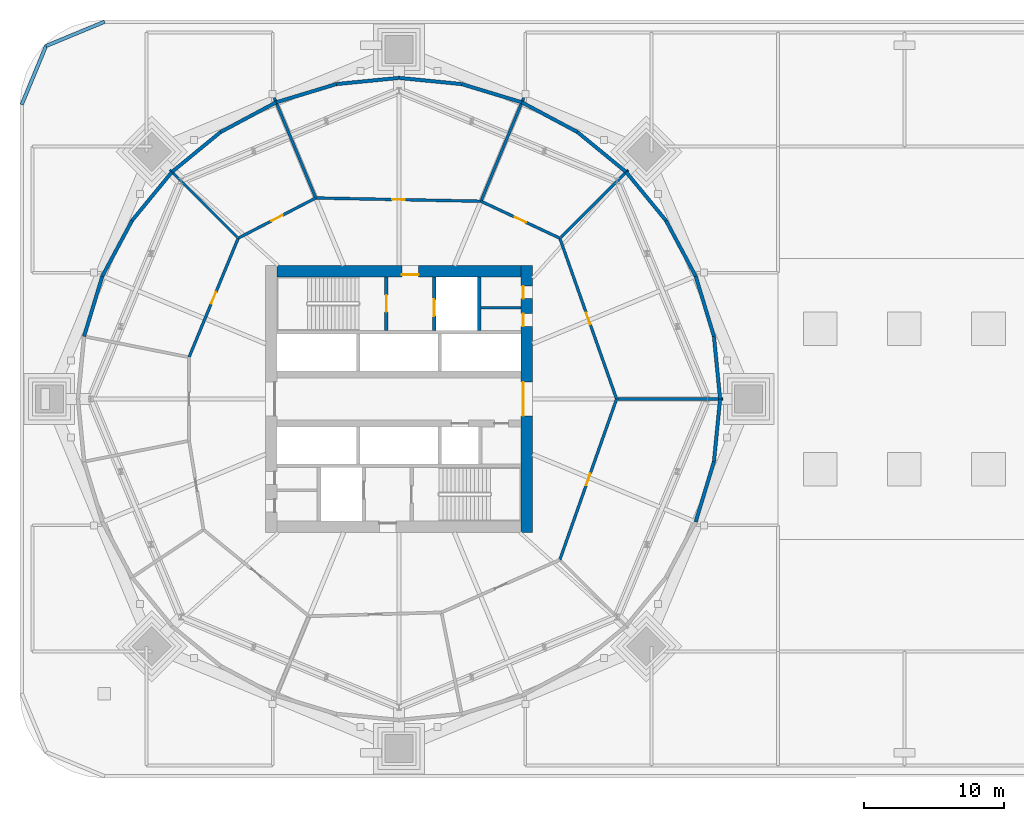
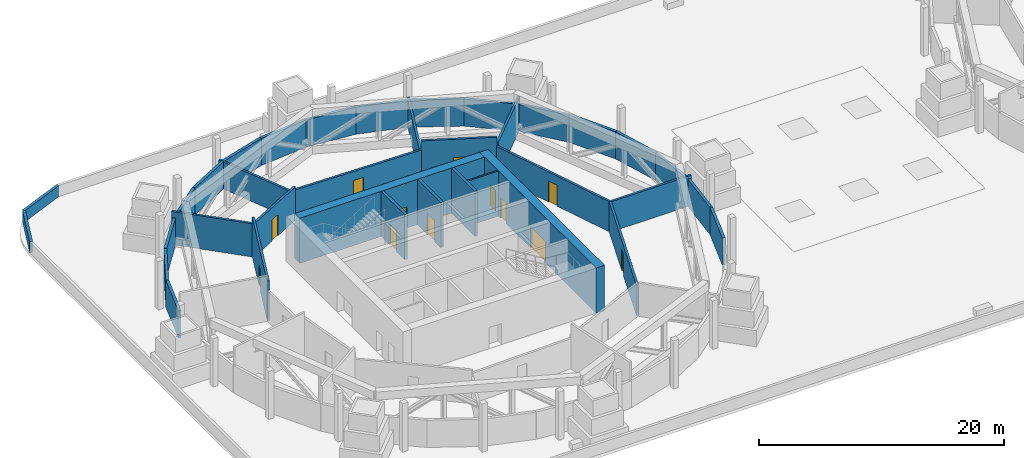
# One storey, part 13 of 21: 36 walls, 12 doors, 12 openings.
"""IFC4 building model written with IfcOpenShell, lengths in metres."""

from ifc_helpers import new_model, si_unit, direction, frame, frame_2d, origin, place, context, subcontext, project, spatial, rectangle, extrude, material, layer, layer_set, type_object, element, fill, save


model = new_model("IFC4")

# Units and contexts
model_context = context("Model", 3, precision=1e-05, world=origin(), true_north=direction((0.0, 1.0)))
body_context = subcontext(model_context, "Body", "Model", "MODEL_VIEW")
ifc_project = project(units=[si_unit("LENGTHUNIT", "METRE"), si_unit("AREAUNIT", "SQUARE_METRE"), si_unit("VOLUMEUNIT", "CUBIC_METRE"), si_unit("PLANEANGLEUNIT", "RADIAN"), si_unit("MASSUNIT", "GRAM", prefix="KILO")], contexts=[model_context])

# Site, building, storey
site_placement = place(None, origin())
site = spatial("IfcSite", under=ifc_project, at=site_placement, CompositionType="ELEMENT")
building_placement = place(site_placement, origin())
building = spatial("IfcBuilding", under=site, at=building_placement, Name="Ogive Gate Towers", CompositionType="ELEMENT")
storey_placement = place(building_placement, frame((0.0, 0.0, 27.60009765625)))
storey = spatial("IfcBuildingStorey", under=building, at=storey_placement, Name="L05", CompositionType="ELEMENT", Elevation=27.60009765625)

# Walls
ifc_material_1 = material(Name="Fire-rated block compartment wall")
ifc_layer_1 = layer(ifc_material_1, 0.199951171875)
ifc_layer_set_1 = layer_set([ifc_layer_1], Name="Compartment wall 200")
wall_type_1 = type_object("IfcWallType", Name="Compartment wall 200", PredefinedType="PARTITIONING", material=ifc_layer_set_1)
wall_1_placement = place(storey_placement, frame((-12.919921875, 0.0, 0.0), z_axis=(0.0, 0.0, 1.0), x_axis=(-1.0, 0.0, 0.0)))
element("IfcWall", 1, at=wall_1_placement, inside=storey, type_object=wall_type_1, Name="Partition T1-L05-001", PredefinedType="PARTITIONING", context=body_context, shape_type="SweptSolid", body=[
    extrude(rectangle(XDim=7.4794921875, YDim=0.199951171875, at=frame_2d((3.73974609375, 0.0))), origin(), (0.0, 0.0, 1.0), 3.0),
])
wall_2_placement = place(storey_placement, frame((-19.679931640625, 16.320068359375, 0.0), z_axis=(0.0, 0.0, 1.0), x_axis=(-0.707106781187, -0.707106781187, 0.0)))
element("IfcWall", 2, at=wall_2_placement, inside=storey, type_object=wall_type_1, Name="Partition T1-L05-002", PredefinedType="PARTITIONING", context=body_context, shape_type="SweptSolid", body=[
    extrude(rectangle(XDim=6.779541015625, YDim=0.199951171875, at=frame_2d((3.3896484375, 0.0))), origin(), (0.0, 0.0, 1.0), 3.2998046875),
])
wall_3_placement = place(storey_placement, frame((-27.114013671875, 21.452880859375, 0.0), z_axis=(0.0, 0.0, 1.0), x_axis=(-0.382654085359, -0.923891687893, 0.0)))
element("IfcWall", 3, at=wall_3_placement, inside=storey, type_object=wall_type_1, Name="Partition T1-L05-003", PredefinedType="PARTITIONING", context=body_context, shape_type="SweptSolid", body=[
    extrude(rectangle(XDim=7.869873046875, YDim=0.199951171875, at=frame_2d((3.93505859375, 0.0))), origin(), (0.0, 0.0, 1.0), 2.699951171875),
])
wall_4_placement = place(storey_placement, frame((-44.885986328125, 21.452880859375, 0.0), z_axis=(0.0, 0.0, 1.0), x_axis=(0.382687587312, -0.923877811465, 0.0)))
element("IfcWall", 4, at=wall_4_placement, inside=storey, type_object=wall_type_1, Name="Partition T1-L05-004", PredefinedType="PARTITIONING", context=body_context, shape_type="SweptSolid", body=[
    extrude(rectangle(XDim=7.619873046875, YDim=0.199951171875, at=frame_2d((3.81005859375, 0.0))), origin(), (0.0, 0.0, 1.0), 2.699951171875),
])
wall_5_placement = place(storey_placement, frame((-52.320068359375, 16.320068359375, 0.0), z_axis=(0.0, 0.0, 1.0), x_axis=(0.707106781187, -0.707106781187, 0.0)))
element("IfcWall", 5, at=wall_5_placement, inside=storey, type_object=wall_type_1, Name="Partition T1-L05-005", PredefinedType="PARTITIONING", context=body_context, shape_type="SweptSolid", body=[
    extrude(rectangle(XDim=6.779541015625, YDim=0.199951171875, at=frame_2d((3.3896484375, 0.0))), origin(), (0.0, 0.0, 1.0), 3.2998046875),
])

# Wall, opening, door
wall_6_placement = place(storey_placement, frame((-24.54443359375, -11.45556640625, 0.0), z_axis=(0.0, 0.0, 1.0), x_axis=(0.332950460277, 0.942944320202, 0.0)))
wall_6 = element("IfcWall", 6, at=wall_6_placement, inside=storey, type_object=wall_type_1, Name="Partition T1-L05-013", PredefinedType="PARTITIONING", context=body_context, shape_type="SweptSolid", body=[
    extrude(rectangle(XDim=12.148681640625, YDim=0.199951171875, at=frame_2d((6.07421875, 0.0))), origin(), (0.0, 0.0, 1.0), 3.0),
])
opening_1_placement = place(wall_6_placement, frame((5.6240234375, 0.0, 0.0)))
opening_1 = element("IfcOpeningElement", 7, at=opening_1_placement, cuts=wall_6, Name="Opening T1-L05-D02", PredefinedType="OPENING", context=body_context, shape_type="SweptSolid", body=[
    extrude(rectangle(XDim=0.89990234375, YDim=2.10009765625, at=frame_2d((0.449951171875, 1.050048828125))), frame((0.0, 0.10986328125, 0.0), z_axis=(0.0, -1.0, 0.0), x_axis=(1.0, 0.0, 0.0)), (0.0, 0.0, 1.0), 0.219970703125),
])
ifc_material_2 = material(Name="Steel fire door", Category="steel")
door_type_1 = type_object("IfcDoorType", Name="Fire door 900 FD30S", OperationType="NOTDEFINED", PredefinedType="DOOR", material=ifc_material_2)
door_1_placement = place(opening_1_placement, origin())
door_1 = element("IfcDoor", 8, at=door_1_placement, inside=storey, type_object=door_type_1, Name="Door T1-L05-D02", OperationType="SINGLE_SWING_RIGHT", OverallHeight=2.10009765625, OverallWidth=0.89990234375, PredefinedType="DOOR", context=body_context, shape_type="SweptSolid", body=[
    extrude(rectangle(XDim=0.89990234375, YDim=2.10009765625, at=frame_2d((0.449951171875, 1.050048828125))), frame((0.0, 0.02490234375, 0.0), z_axis=(0.0, -1.0, 0.0), x_axis=(1.0, 0.0, 0.0)), (0.0, 0.0, 1.0), 0.050048828125),
])
fill(opening_1, door_1)

wall_7_placement = place(storey_placement, frame((-20.49951171875, 0.0, 0.0), z_axis=(0.0, 0.0, 1.0), x_axis=(-0.332950460277, 0.942944320202, 0.0)))
wall_7 = element("IfcWall", 9, at=wall_7_placement, inside=storey, type_object=wall_type_1, Name="Partition T1-L05-014", PredefinedType="PARTITIONING", context=body_context, shape_type="SweptSolid", body=[
    extrude(rectangle(XDim=12.148681640625, YDim=0.199951171875, at=frame_2d((6.07421875, 0.0))), origin(), (0.0, 0.0, 1.0), 3.0),
])
opening_2_placement = place(wall_7_placement, frame((5.6240234375, 0.0, 0.0)))
opening_2 = element("IfcOpeningElement", 10, at=opening_2_placement, cuts=wall_7, Name="Opening T1-L05-D03", PredefinedType="OPENING", context=body_context, shape_type="SweptSolid", body=[
    extrude(rectangle(XDim=0.89990234375, YDim=2.10009765625, at=frame_2d((0.449951171875, 1.050048828125))), frame((0.0, 0.10986328125, 0.0), z_axis=(0.0, -1.0, 0.0), x_axis=(1.0, 0.0, 0.0)), (0.0, 0.0, 1.0), 0.219970703125),
])
door_2_placement = place(opening_2_placement, origin())
door_2 = element("IfcDoor", 11, at=door_2_placement, inside=storey, type_object=door_type_1, Name="Door T1-L05-D03", OperationType="SINGLE_SWING_RIGHT", OverallHeight=2.10009765625, OverallWidth=0.89990234375, PredefinedType="DOOR", context=body_context, shape_type="SweptSolid", body=[
    extrude(rectangle(XDim=0.89990234375, YDim=2.10009765625, at=frame_2d((0.449951171875, 1.050048828125))), frame((0.0, 0.02490234375, 0.0), z_axis=(0.0, -1.0, 0.0), x_axis=(1.0, 0.0, 0.0)), (0.0, 0.0, 1.0), 0.050048828125),
])
fill(opening_2, door_2)

wall_8_placement = place(storey_placement, frame((-24.54443359375, 11.45556640625, 0.0), z_axis=(0.0, 0.0, 1.0), x_axis=(-0.90546224304, 0.424426821052, 0.0)))
wall_8 = element("IfcWall", 12, at=wall_8_placement, inside=storey, type_object=wall_type_1, Name="Partition T1-L05-015", PredefinedType="PARTITIONING", context=body_context, shape_type="SweptSolid", body=[
    extrude(rectangle(XDim=6.2060546875, YDim=0.199951171875, at=frame_2d((3.10302734375, 0.0))), origin(), (0.0, 0.0, 1.0), 3.909912109375),
])
opening_3_placement = place(wall_8_placement, frame((2.653076171875, 0.0, 0.0)))
opening_3 = element("IfcOpeningElement", 13, at=opening_3_placement, cuts=wall_8, Name="Opening T1-L05-D04", PredefinedType="OPENING", context=body_context, shape_type="SweptSolid", body=[
    extrude(rectangle(XDim=0.89990234375, YDim=2.10009765625, at=frame_2d((0.449951171875, 1.050048828125))), frame((0.0, 0.10986328125, 0.0), z_axis=(0.0, -1.0, 0.0), x_axis=(1.0, 0.0, 0.0)), (0.0, 0.0, 1.0), 0.219970703125),
])
door_3_placement = place(opening_3_placement, origin())
door_3 = element("IfcDoor", 14, at=door_3_placement, inside=storey, type_object=door_type_1, Name="Door T1-L05-D04", OperationType="SINGLE_SWING_RIGHT", OverallHeight=2.10009765625, OverallWidth=0.89990234375, PredefinedType="DOOR", context=body_context, shape_type="SweptSolid", body=[
    extrude(rectangle(XDim=0.89990234375, YDim=2.10009765625, at=frame_2d((0.449951171875, 1.050048828125))), frame((0.0, 0.02490234375, 0.0), z_axis=(0.0, -1.0, 0.0), x_axis=(1.0, 0.0, 0.0)), (0.0, 0.0, 1.0), 0.050048828125),
])
fill(opening_3, door_3)

wall_9_placement = place(storey_placement, frame((-30.163818359375, 14.089599609375, 0.0), z_axis=(0.0, 0.0, 1.0), x_axis=(-0.999807470747, 0.019621963141, 0.0)))
wall_9 = element("IfcWall", 15, at=wall_9_placement, inside=storey, type_object=wall_type_1, Name="Partition T1-L05-016", PredefinedType="PARTITIONING", context=body_context, shape_type="SweptSolid", body=[
    extrude(rectangle(XDim=11.770263671875, YDim=0.199951171875, at=frame_2d((5.88525390625, 0.0))), origin(), (0.0, 0.0, 1.0), 3.0),
])
opening_4_placement = place(wall_9_placement, frame((5.43505859375, 0.0, 0.0)))
opening_4 = element("IfcOpeningElement", 16, at=opening_4_placement, cuts=wall_9, Name="Opening T1-L05-D05", PredefinedType="OPENING", context=body_context, shape_type="SweptSolid", body=[
    extrude(rectangle(XDim=0.89990234375, YDim=2.10009765625, at=frame_2d((0.449951171875, 1.050048828125))), frame((0.0, 0.10986328125, 0.0), z_axis=(0.0, -1.0, 0.0), x_axis=(1.0, 0.0, 0.0)), (0.0, 0.0, 1.0), 0.219970703125),
])
door_4_placement = place(opening_4_placement, origin())
door_4 = element("IfcDoor", 17, at=door_4_placement, inside=storey, type_object=door_type_1, Name="Door T1-L05-D05", OperationType="SINGLE_SWING_RIGHT", OverallHeight=2.10009765625, OverallWidth=0.89990234375, PredefinedType="DOOR", context=body_context, shape_type="SweptSolid", body=[
    extrude(rectangle(XDim=0.89990234375, YDim=2.10009765625, at=frame_2d((0.449951171875, 1.050048828125))), frame((0.0, 0.02490234375, 0.0), z_axis=(0.0, -1.0, 0.0), x_axis=(1.0, 0.0, 0.0)), (0.0, 0.0, 1.0), 0.050048828125),
])
fill(opening_4, door_4)

wall_10_placement = place(storey_placement, frame((-41.931884765625, 14.320556640625, 0.0), z_axis=(0.0, 0.0, 1.0), x_axis=(-0.887698110818, -0.460425959357, 0.0)))
wall_10 = element("IfcWall", 18, at=wall_10_placement, inside=storey, type_object=wall_type_1, Name="Partition T1-L05-017", PredefinedType="PARTITIONING", context=body_context, shape_type="SweptSolid", body=[
    extrude(rectangle(XDim=6.222412109375, YDim=0.199951171875, at=frame_2d((3.111328125, 0.0))), origin(), (0.0, 0.0, 1.0), 3.2998046875),
])
opening_5_placement = place(wall_10_placement, frame((2.660888671875, 0.0, 0.0)))
opening_5 = element("IfcOpeningElement", 19, at=opening_5_placement, cuts=wall_10, Name="Opening T1-L05-D06", PredefinedType="OPENING", context=body_context, shape_type="SweptSolid", body=[
    extrude(rectangle(XDim=0.89990234375, YDim=2.10009765625, at=frame_2d((0.449951171875, 1.050048828125))), frame((0.0, 0.10986328125, 0.0), z_axis=(0.0, -1.0, 0.0), x_axis=(1.0, 0.0, 0.0)), (0.0, 0.0, 1.0), 0.219970703125),
])
door_5_placement = place(opening_5_placement, origin())
door_5 = element("IfcDoor", 20, at=door_5_placement, inside=storey, type_object=door_type_1, Name="Door T1-L05-D06", OperationType="SINGLE_SWING_RIGHT", OverallHeight=2.10009765625, OverallWidth=0.89990234375, PredefinedType="DOOR", context=body_context, shape_type="SweptSolid", body=[
    extrude(rectangle(XDim=0.89990234375, YDim=2.10009765625, at=frame_2d((0.449951171875, 1.050048828125))), frame((0.0, 0.02490234375, 0.0), z_axis=(0.0, -1.0, 0.0), x_axis=(1.0, 0.0, 0.0)), (0.0, 0.0, 1.0), 0.050048828125),
])
fill(opening_5, door_5)

wall_11_placement = place(storey_placement, frame((-47.45556640625, 11.45556640625, 0.0), z_axis=(0.0, 0.0, 1.0), x_axis=(-0.381681088406, -0.924294080233, 0.0)))
wall_11 = element("IfcWall", 21, at=wall_11_placement, inside=storey, type_object=wall_type_1, Name="Partition T1-L05-018", PredefinedType="PARTITIONING", context=body_context, shape_type="SweptSolid", body=[
    extrude(rectangle(XDim=9.175048828125, YDim=0.199951171875, at=frame_2d((4.58740234375, 0.0))), origin(), (0.0, 0.0, 1.0), 3.909912109375),
])
opening_6_placement = place(wall_11_placement, frame((4.136962890625, 0.0, 0.0)))
opening_6 = element("IfcOpeningElement", 22, at=opening_6_placement, cuts=wall_11, Name="Opening T1-L05-D07", PredefinedType="OPENING", context=body_context, shape_type="SweptSolid", body=[
    extrude(rectangle(XDim=0.89990234375, YDim=2.10009765625, at=frame_2d((0.449951171875, 1.050048828125))), frame((0.0, 0.10986328125, 0.0), z_axis=(0.0, -1.0, 0.0), x_axis=(1.0, 0.0, 0.0)), (0.0, 0.0, 1.0), 0.219970703125),
])
door_6_placement = place(opening_6_placement, origin())
door_6 = element("IfcDoor", 23, at=door_6_placement, inside=storey, type_object=door_type_1, Name="Door T1-L05-D07", OperationType="SINGLE_SWING_RIGHT", OverallHeight=2.10009765625, OverallWidth=0.89990234375, PredefinedType="DOOR", context=body_context, shape_type="SweptSolid", body=[
    extrude(rectangle(XDim=0.89990234375, YDim=2.10009765625, at=frame_2d((0.449951171875, 1.050048828125))), frame((0.0, 0.02490234375, 0.0), z_axis=(0.0, -1.0, 0.0), x_axis=(1.0, 0.0, 0.0)), (0.0, 0.0, 1.0), 0.050048828125),
])
fill(opening_6, door_6)

ifc_material_3 = material(Name="Concrete C60/75", Category="concrete")
ifc_layer_2 = layer(ifc_material_3, 0.800048828125)
ifc_layer_set_2 = layer_set([ifc_layer_2], Name="Core wall 800 mm")
wall_type_2 = type_object("IfcWallType", Name="Core wall 800 mm", PredefinedType="SHEAR", material=ifc_layer_set_2)
wall_12_placement = place(storey_placement, frame((-44.699951171875, 9.10009765625, 0.0), z_axis=(0.0, 0.0, 1.0), x_axis=(1.0, 0.0, 0.0)))
wall_12 = element("IfcWall", 24, at=wall_12_placement, inside=storey, type_object=wall_type_2, Name="T1 L05 Core wall 800 mm", PredefinedType="SHEAR", context=body_context, shape_type="SweptSolid", body=[
    extrude(rectangle(XDim=17.39990234375, YDim=0.800048828125, at=frame_2d((8.699951171875, 0.0))), origin(), (0.0, 0.0, 1.0), 4.5),
])
opening_7_placement = place(wall_12_placement, frame((8.89990234375, 0.0, 0.0)))
opening_7 = element("IfcOpeningElement", 25, at=opening_7_placement, cuts=wall_12, Name="Opening KD-T1-L05-09", PredefinedType="OPENING", context=body_context, shape_type="SweptSolid", body=[
    extrude(rectangle(XDim=1.199951171875, YDim=2.10009765625, at=frame_2d((0.60009765625, 1.050048828125))), frame((0.0, 0.41015625, 0.0), z_axis=(0.0, -1.0, 0.0), x_axis=(1.0, 0.0, 0.0)), (0.0, 0.0, 1.0), 0.820068359375),
])
door_type_2 = type_object("IfcDoorType", Name="Core door FD60S 1200 x 2100", OperationType="NOTDEFINED", PredefinedType="DOOR", material=ifc_material_2)
door_7_placement = place(opening_7_placement, origin())
door_7 = element("IfcDoor", 26, at=door_7_placement, inside=storey, type_object=door_type_2, Name="T1 L05 Fire-fighting lobby door", OperationType="SINGLE_SWING_RIGHT", OverallHeight=2.10009765625, OverallWidth=1.199951171875, PredefinedType="DOOR", context=body_context, shape_type="SweptSolid", body=[
    extrude(rectangle(XDim=1.199951171875, YDim=2.10009765625, at=frame_2d((0.60009765625, 1.050048828125))), frame((0.0, -0.22509765625, 0.0), z_axis=(0.0, -1.0, 0.0), x_axis=(1.0, 0.0, 0.0)), (0.0, 0.0, 1.0), 0.050048828125),
])
fill(opening_7, door_7)

# Wall, openings, doors
wall_13_placement = place(storey_placement, frame((-26.89990234375, -9.5, 0.0), z_axis=(0.0, 0.0, 1.0), x_axis=(0.0, 1.0, 0.0)))
wall_13 = element("IfcWall", 27, at=wall_13_placement, inside=storey, type_object=wall_type_2, Name="T1 L05 Core wall 800 mm", PredefinedType="SHEAR", context=body_context, shape_type="SweptSolid", body=[
    extrude(rectangle(XDim=19.0, YDim=0.800048828125, at=frame_2d((9.5, 0.0))), origin(), (0.0, 0.0, 1.0), 4.5),
])
opening_8_placement = place(wall_13_placement, frame((8.300048828125, 0.0, 0.0)))
opening_8 = element("IfcOpeningElement", 28, at=opening_8_placement, cuts=wall_13, Name="Opening KD-T1-L05-02", PredefinedType="OPENING", context=body_context, shape_type="SweptSolid", body=[
    extrude(rectangle(XDim=2.39990234375, YDim=2.10009765625, at=frame_2d((1.199951171875, 1.050048828125))), frame((0.0, 0.41015625, 0.0), z_axis=(0.0, -1.0, 0.0), x_axis=(1.0, 0.0, 0.0)), (0.0, 0.0, 1.0), 0.820068359375),
])
opening_9_placement = place(wall_13_placement, frame((14.675048828125, 0.0, 0.0)))
opening_9 = element("IfcOpeningElement", 29, at=opening_9_placement, cuts=wall_13, Name="Opening KD-T1-L05-11", PredefinedType="OPENING", context=body_context, shape_type="SweptSolid", body=[
    extrude(rectangle(XDim=0.89990234375, YDim=2.10009765625, at=frame_2d((0.449951171875, 1.050048828125))), frame((0.0, 0.41015625, 0.0), z_axis=(0.0, -1.0, 0.0), x_axis=(1.0, 0.0, 0.0)), (0.0, 0.0, 1.0), 0.820068359375),
])
opening_10_placement = place(wall_13_placement, frame((16.64990234375, 0.0, 0.0)))
opening_10 = element("IfcOpeningElement", 30, at=opening_10_placement, cuts=wall_13, Name="Opening KD-T1-L05-12", PredefinedType="OPENING", context=body_context, shape_type="SweptSolid", body=[
    extrude(rectangle(XDim=0.89990234375, YDim=2.10009765625, at=frame_2d((0.449951171875, 1.050048828125))), frame((0.0, 0.41015625, 0.0), z_axis=(0.0, -1.0, 0.0), x_axis=(1.0, 0.0, 0.0)), (0.0, 0.0, 1.0), 0.820068359375),
])
door_type_3 = type_object("IfcDoorType", Name="Core door FD60S 900 x 2100", OperationType="NOTDEFINED", PredefinedType="DOOR", material=ifc_material_2)
door_8_placement = place(opening_9_placement, origin())
door_8 = element("IfcDoor", 31, at=door_8_placement, inside=storey, type_object=door_type_3, Name="T1 L05 Core door", OperationType="SINGLE_SWING_RIGHT", OverallHeight=2.10009765625, OverallWidth=0.89990234375, PredefinedType="DOOR", context=body_context, shape_type="SweptSolid", body=[
    extrude(rectangle(XDim=0.89990234375, YDim=2.10009765625, at=frame_2d((0.449951171875, 1.050048828125))), frame((0.0, 0.27490234375, 0.0), z_axis=(0.0, -1.0, 0.0), x_axis=(1.0, 0.0, 0.0)), (0.0, 0.0, 1.0), 0.050048828125),
])
fill(opening_9, door_8)
door_9_placement = place(opening_10_placement, origin())
door_9 = element("IfcDoor", 32, at=door_9_placement, inside=storey, type_object=door_type_3, Name="T1 L05 Core door", OperationType="SINGLE_SWING_LEFT", OverallHeight=2.10009765625, OverallWidth=0.89990234375, PredefinedType="DOOR", context=body_context, shape_type="SweptSolid", body=[
    extrude(rectangle(XDim=0.89990234375, YDim=2.10009765625, at=frame_2d((0.449951171875, 1.050048828125))), frame((0.0, 0.27490234375, 0.0), z_axis=(0.0, -1.0, 0.0), x_axis=(1.0, 0.0, 0.0)), (0.0, 0.0, 1.0), 0.050048828125),
])
fill(opening_10, door_9)
door_type_4 = type_object("IfcDoorType", Name="Core double door FD60S 2400 x 2100", OperationType="DOUBLE_DOOR_SINGLE_SWING", PredefinedType="DOOR", material=ifc_material_2)
door_10_placement = place(opening_8_placement, origin())
door_10 = element("IfcDoor", 33, at=door_10_placement, inside=storey, type_object=door_type_4, Name="T1 L05 Core door double", OperationType="DOUBLE_DOOR_SINGLE_SWING", OverallHeight=2.10009765625, OverallWidth=2.39990234375, PredefinedType="DOOR", context=body_context, shape_type="SweptSolid", body=[
    extrude(rectangle(XDim=2.39990234375, YDim=2.10009765625, at=frame_2d((1.199951171875, 1.050048828125))), frame((0.0, 0.27490234375, 0.0), z_axis=(0.0, -1.0, 0.0), x_axis=(1.0, 0.0, 0.0)), (0.0, 0.0, 1.0), 0.050048828125),
])
fill(opening_8, door_10)

# Walls
ifc_material_4 = material(Name="Precast concrete C40/50", Category="concrete")
ifc_layer_3 = layer(ifc_material_4, 0.25)
ifc_layer_set_3 = layer_set([ifc_layer_3], Name="Parapet wall 1100")
wall_type_3 = type_object("IfcWallType", Name="Parapet wall 1100", PredefinedType="PARAPET", material=ifc_layer_set_3)
for number, where, z_axis, x_axis, name in (
    (34, (-56.97509765625, 26.875, 0.0), (0.0, 0.0, 1.0), (-0.923881087602, -0.382679678022, 0.0), "Parapet wall"),
    (35, (-61.14697265625, 25.14697265625, 0.0), (0.0, 0.0, 1.0), (-0.382679678022, -0.923881087602, 0.0), "Parapet wall"),
):
    element("IfcWall", number, at=place(storey_placement, frame(where, z_axis=z_axis, x_axis=x_axis)), inside=storey, type_object=wall_type_3, Name=name, PredefinedType="PARAPET", context=body_context, shape_type="SweptSolid", body=[
        extrude(rectangle(XDim=4.515625, YDim=0.25, at=frame_2d((2.2578125, 0.0))), origin(), (0.0, 0.0, 1.0), 1.099853515625),
    ])
ifc_material_5 = material(Name="Pale metal aluminium louvre", Category="aluminium")
ifc_layer_4 = layer(ifc_material_5, 0.25)
ifc_layer_set_4 = layer_set([ifc_layer_4], Name="Plant louvre wall")
wall_type_4 = type_object("IfcWallType", Name="Plant louvre wall", PredefinedType="SOLIDWALL", material=ifc_layer_set_4)
for number, where, z_axis, x_axis, name in (
    (36, (-13.125, 0.0, 0.0), (0.0, 0.0, 1.0), (-0.098053571273, 0.995181137864, 0.0), "Plant louvre wall"),
    (37, (-13.564697265625, 4.462646484375, 0.0), (0.0, 0.0, 1.0), (-0.290288433444, 0.956939196296, 0.0), "Plant louvre wall"),
):
    element("IfcWall", number, at=place(storey_placement, frame(where, z_axis=z_axis, x_axis=x_axis)), inside=storey, type_object=wall_type_4, Name=name, PredefinedType="SOLIDWALL", context=body_context, shape_type="SweptSolid", body=[
        extrude(rectangle(XDim=4.484375, YDim=0.25, at=frame_2d((2.2421875, 0.0))), origin(), (0.0, 0.0, 1.0), 2.699951171875),
    ])
wall_14_placement = place(storey_placement, frame((-14.866455078125, 8.75390625, 0.0), z_axis=(0.0, 0.0, 1.0), x_axis=(-0.471396254905, 0.88192152194, 0.0)))
element("IfcWall", 38, at=wall_14_placement, inside=storey, type_object=wall_type_4, Name="Plant louvre wall", PredefinedType="SOLIDWALL", context=body_context, shape_type="SweptSolid", body=[
    extrude(rectangle(XDim=4.484130859375, YDim=0.25, at=frame_2d((2.2421875, 0.0))), origin(), (0.0, 0.0, 1.0), 2.699951171875),
])
for number, where, z_axis, x_axis, name in (
    (39, (-16.980224609375, 12.70849609375, 0.0), (0.0, 0.0, 1.0), (-0.634366667709, 0.773032296155, 0.0), "Plant louvre wall"),
    (40, (-19.824951171875, 16.175048828125, 0.0), (0.0, 0.0, 1.0), (-0.773032296155, 0.634366667709, 0.0), "Plant louvre wall"),
):
    element("IfcWall", number, at=place(storey_placement, frame(where, z_axis=z_axis, x_axis=x_axis)), inside=storey, type_object=wall_type_4, Name=name, PredefinedType="SOLIDWALL", context=body_context, shape_type="SweptSolid", body=[
        extrude(rectangle(XDim=4.484375, YDim=0.25, at=frame_2d((2.2421875, 0.0))), origin(), (0.0, 0.0, 1.0), 2.699951171875),
    ])
wall_15_placement = place(storey_placement, frame((-23.29150390625, 19.019775390625, 0.0), z_axis=(0.0, 0.0, 1.0), x_axis=(-0.88192152194, 0.471396254905, 0.0)))
element("IfcWall", 41, at=wall_15_placement, inside=storey, type_object=wall_type_4, Name="Plant louvre wall", PredefinedType="SOLIDWALL", context=body_context, shape_type="SweptSolid", body=[
    extrude(rectangle(XDim=4.484130859375, YDim=0.25, at=frame_2d((2.2421875, 0.0))), origin(), (0.0, 0.0, 1.0), 2.699951171875),
])
for number, where, z_axis, x_axis, name in (
    (42, (-27.24609375, 21.133544921875, 0.0), (0.0, 0.0, 1.0), (-0.956939196296, 0.290288433444, 0.0), "Plant louvre wall"),
    (43, (-31.537353515625, 22.435302734375, 0.0), (0.0, 0.0, 1.0), (-0.995181137864, 0.098053571273, 0.0), "Plant louvre wall"),
    (44, (-36.0, 22.875, 0.0), (0.0, 0.0, 1.0), (-0.995181137864, -0.098053571273, 0.0), "Plant louvre wall"),
    (45, (-40.462646484375, 22.435302734375, 0.0), (0.0, 0.0, 1.0), (-0.956939196296, -0.290288433444, 0.0), "Plant louvre wall"),
):
    element("IfcWall", number, at=place(storey_placement, frame(where, z_axis=z_axis, x_axis=x_axis)), inside=storey, type_object=wall_type_4, Name=name, PredefinedType="SOLIDWALL", context=body_context, shape_type="SweptSolid", body=[
        extrude(rectangle(XDim=4.484375, YDim=0.25, at=frame_2d((2.2421875, 0.0))), origin(), (0.0, 0.0, 1.0), 2.699951171875),
    ])
wall_16_placement = place(storey_placement, frame((-44.75390625, 21.133544921875, 0.0), z_axis=(0.0, 0.0, 1.0), x_axis=(-0.88192152194, -0.471396254905, 0.0)))
element("IfcWall", 46, at=wall_16_placement, inside=storey, type_object=wall_type_4, Name="Plant louvre wall", PredefinedType="SOLIDWALL", context=body_context, shape_type="SweptSolid", body=[
    extrude(rectangle(XDim=4.484130859375, YDim=0.25, at=frame_2d((2.2421875, 0.0))), origin(), (0.0, 0.0, 1.0), 2.699951171875),
])
for number, where, z_axis, x_axis, name in (
    (47, (-48.70849609375, 19.019775390625, 0.0), (0.0, 0.0, 1.0), (-0.773032296155, -0.634366667709, 0.0), "Plant louvre wall"),
    (48, (-52.175048828125, 16.175048828125, 0.0), (0.0, 0.0, 1.0), (-0.634366667709, -0.773032296155, 0.0), "Plant louvre wall"),
):
    element("IfcWall", number, at=place(storey_placement, frame(where, z_axis=z_axis, x_axis=x_axis)), inside=storey, type_object=wall_type_4, Name=name, PredefinedType="SOLIDWALL", context=body_context, shape_type="SweptSolid", body=[
        extrude(rectangle(XDim=4.484375, YDim=0.25, at=frame_2d((2.2421875, 0.0))), origin(), (0.0, 0.0, 1.0), 2.699951171875),
    ])
wall_17_placement = place(storey_placement, frame((-55.019775390625, 12.70849609375, 0.0), z_axis=(0.0, 0.0, 1.0), x_axis=(-0.471396254905, -0.88192152194, 0.0)))
element("IfcWall", 49, at=wall_17_placement, inside=storey, type_object=wall_type_4, Name="Plant louvre wall", PredefinedType="SOLIDWALL", context=body_context, shape_type="SweptSolid", body=[
    extrude(rectangle(XDim=4.484130859375, YDim=0.25, at=frame_2d((2.2421875, 0.0))), origin(), (0.0, 0.0, 1.0), 2.699951171875),
])
for number, where, z_axis, x_axis, name in (
    (50, (-57.133544921875, 8.75390625, 0.0), (0.0, 0.0, 1.0), (-0.290288433444, -0.956939196296, 0.0), "Plant louvre wall"),
    (51, (-14.866455078125, -8.75390625, 0.0), (0.0, 0.0, 1.0), (0.290288433444, 0.956939196296, 0.0), "Plant louvre wall"),
    (52, (-13.564697265625, -4.462646484375, 0.0), (0.0, 0.0, 1.0), (0.098053571273, 0.995181137864, 0.0), "Plant louvre wall"),
):
    element("IfcWall", number, at=place(storey_placement, frame(where, z_axis=z_axis, x_axis=x_axis)), inside=storey, type_object=wall_type_4, Name=name, PredefinedType="SOLIDWALL", context=body_context, shape_type="SweptSolid", body=[
        extrude(rectangle(XDim=4.484375, YDim=0.25, at=frame_2d((2.2421875, 0.0))), origin(), (0.0, 0.0, 1.0), 2.699951171875),
    ])
ifc_material_6 = material(Name="Gypsum board partition")
ifc_layer_5 = layer(ifc_material_6, 0.14990234375)
ifc_layer_set_5 = layer_set([ifc_layer_5], Name="Room partition 150 mm")
wall_type_5 = type_object("IfcWallType", Name="Room partition 150 mm", PredefinedType="PARTITIONING", material=ifc_layer_set_5)
wall_18_placement = place(storey_placement, frame((-30.175048828125, 6.5, 0.0), z_axis=(0.0, 0.0, 1.0), x_axis=(1.0, 0.0, 0.0)))
element("IfcWall", 53, at=wall_18_placement, inside=storey, type_object=wall_type_5, Name="T1 L05 Room partition 150 mm", PredefinedType="PARTITIONING", context=body_context, shape_type="SweptSolid", body=[
    extrude(rectangle(XDim=2.875, YDim=0.14990234375, at=frame_2d((1.4375, 0.0))), origin(), (0.0, 0.0, 1.0), 4.5),
])

# Wall, opening, door
ifc_layer_6 = layer(ifc_material_3, 0.25)
ifc_layer_set_6 = layer_set([ifc_layer_6], Name="Shaft wall 250 mm")
wall_type_6 = type_object("IfcWallType", Name="Shaft wall 250 mm", PredefinedType="SHEAR", material=ifc_layer_set_6)
wall_19_placement = place(storey_placement, frame((-36.89990234375, 4.875, 0.0), z_axis=(0.0, 0.0, 1.0), x_axis=(0.0, 1.0, 0.0)))
wall_19 = element("IfcWall", 54, at=wall_19_placement, inside=storey, type_object=wall_type_6, Name="T1 L05 Shaft wall 250 mm", PredefinedType="SHEAR", context=body_context, shape_type="SweptSolid", body=[
    extrude(rectangle(XDim=3.824951171875, YDim=0.25, at=frame_2d((1.91259765625, 0.0))), origin(), (0.0, 0.0, 1.0), 4.5),
])
opening_11_placement = place(wall_19_placement, frame((1.324951171875, 0.0, 0.0)))
opening_11 = element("IfcOpeningElement", 55, at=opening_11_placement, cuts=wall_19, Name="Opening KD-T1-L05-07", PredefinedType="OPENING", context=body_context, shape_type="SweptSolid", body=[
    extrude(rectangle(XDim=1.199951171875, YDim=2.10009765625, at=frame_2d((0.60009765625, 1.050048828125))), frame((0.0, 0.135009765625, 0.0), z_axis=(0.0, -1.0, 0.0), x_axis=(1.0, 0.0, 0.0)), (0.0, 0.0, 1.0), 0.27001953125),
])
door_11_placement = place(opening_11_placement, origin())
door_11 = element("IfcDoor", 56, at=door_11_placement, inside=storey, type_object=door_type_2, Name="T1 L05 Stair door", OperationType="SINGLE_SWING_RIGHT", OverallHeight=2.10009765625, OverallWidth=1.199951171875, PredefinedType="DOOR", context=body_context, shape_type="SweptSolid", body=[
    extrude(rectangle(XDim=1.199951171875, YDim=2.10009765625, at=frame_2d((0.60009765625, 1.050048828125))), frame((0.0, 0.02490234375, 0.0), z_axis=(0.0, -1.0, 0.0), x_axis=(1.0, 0.0, 0.0)), (0.0, 0.0, 1.0), 0.050048828125),
])
fill(opening_11, door_11)

wall_20_placement = place(storey_placement, frame((-33.5, 4.875, 0.0), z_axis=(0.0, 0.0, 1.0), x_axis=(0.0, 1.0, 0.0)))
wall_20 = element("IfcWall", 57, at=wall_20_placement, inside=storey, type_object=wall_type_6, Name="T1 L05 Shaft wall 250 mm", PredefinedType="SHEAR", context=body_context, shape_type="SweptSolid", body=[
    extrude(rectangle(XDim=3.824951171875, YDim=0.25, at=frame_2d((1.91259765625, 0.0))), origin(), (0.0, 0.0, 1.0), 4.5),
])
opening_12_placement = place(wall_20_placement, frame((1.02490234375, 0.0, 0.0)))
opening_12 = element("IfcOpeningElement", 58, at=opening_12_placement, cuts=wall_20, Name="Opening LD-T1-L05-04", PredefinedType="OPENING", context=body_context, shape_type="SweptSolid", body=[
    extrude(rectangle(XDim=1.199951171875, YDim=2.10009765625, at=frame_2d((0.60009765625, 1.050048828125))), frame((0.0, 0.135009765625, 0.0), z_axis=(0.0, -1.0, 0.0), x_axis=(1.0, 0.0, 0.0)), (0.0, 0.0, 1.0), 0.27001953125),
])
ifc_material_7 = material(Name="Stainless steel landing door", Category="steel")
door_type_5 = type_object("IfcDoorType", Name="Landing door 1200 x 2100", OperationType="SLIDING_TO_LEFT", PredefinedType="DOOR", material=ifc_material_7)
door_12_placement = place(opening_12_placement, origin())
door_12 = element("IfcDoor", 59, at=door_12_placement, inside=storey, type_object=door_type_5, Name="T1 L05 Lift landing door FF1", OperationType="SLIDING_TO_LEFT", OverallHeight=2.10009765625, OverallWidth=1.199951171875, PredefinedType="DOOR", context=body_context, shape_type="SweptSolid", body=[
    extrude(rectangle(XDim=1.199951171875, YDim=2.10009765625, at=frame_2d((0.60009765625, 1.050048828125))), frame((0.0, 0.02490234375, 0.0), z_axis=(0.0, -1.0, 0.0), x_axis=(1.0, 0.0, 0.0)), (0.0, 0.0, 1.0), 0.050048828125),
])
fill(opening_12, door_12)

# Wall
wall_21_placement = place(storey_placement, frame((-30.300048828125, 4.875, 0.0), z_axis=(0.0, 0.0, 1.0), x_axis=(0.0, 1.0, 0.0)))
element("IfcWall", 60, at=wall_21_placement, inside=storey, type_object=wall_type_6, Name="T1 L05 Shaft wall 250 mm", PredefinedType="SHEAR", context=body_context, shape_type="SweptSolid", body=[
    extrude(rectangle(XDim=3.824951171875, YDim=0.25, at=frame_2d((1.91259765625, 0.0))), origin(), (0.0, 0.0, 1.0), 4.5),
])

save(model, "model.ifc")
